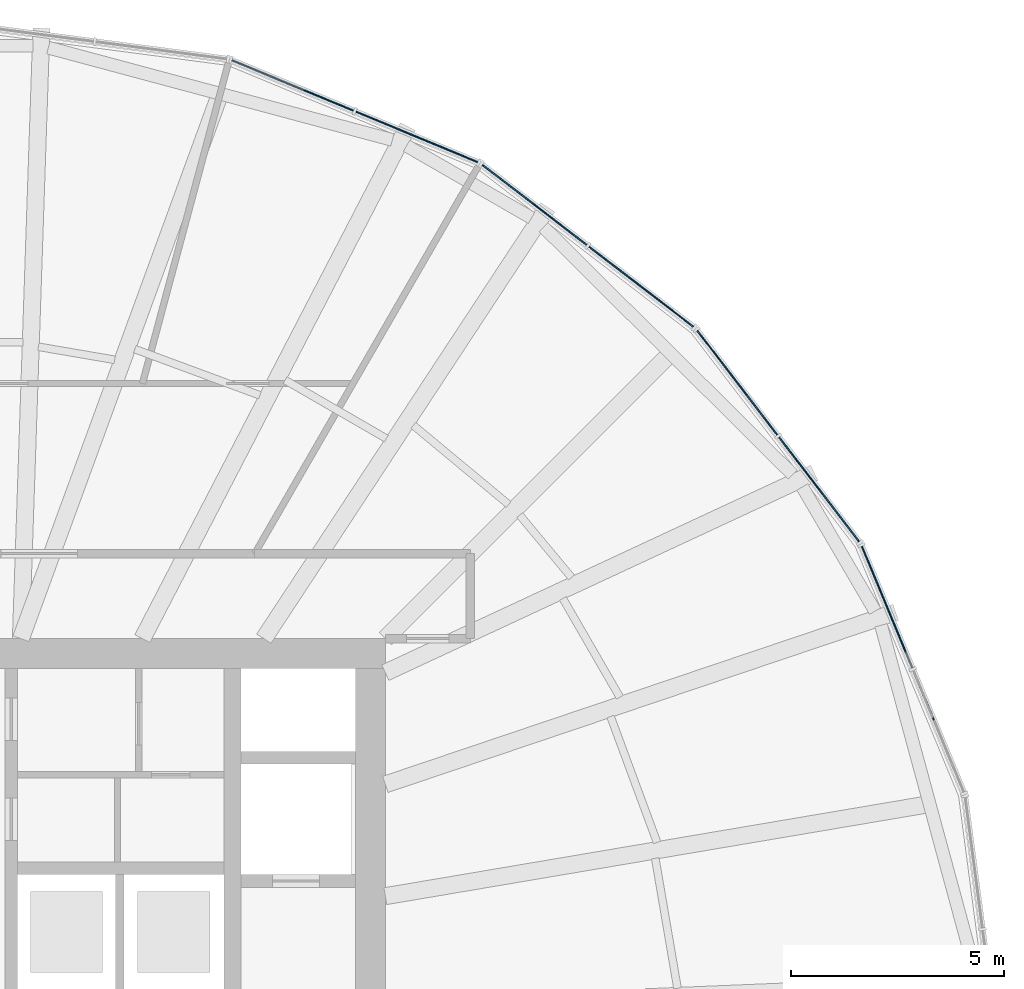
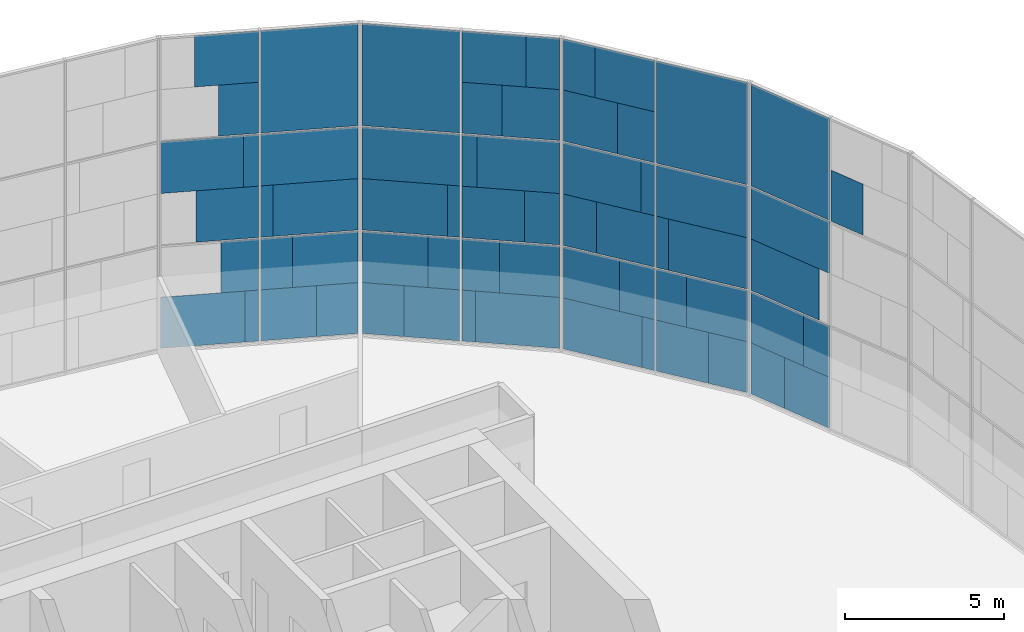
# One storey, part 17 of 22: 64 plates, 4 elements without a shape of their own.
"""IFC4 building model written with IfcOpenShell, lengths in metres."""

import ifcopenshell
import ifcopenshell.guid

model = None  # the IFC model being written
_history = None  # IfcOwnerHistory: only IFC2X3 demands one
_inside = {}  # id of a spatial element -> (the spatial element, [elements in it])
_under = {}  # id of a project, library or spatial element -> (it, [spatial elements below it])
_declared = {}  # id of a project -> (the project, [libraries it declares])
_typed = {}  # id of a type object -> (the type object, [elements of that type])
_made_of = {}  # id of a material, layer set ... -> (it, [elements and type objects made of it])


def new_model(schema):
    """Start an empty IFC model of exactly this schema.

    Asked for "IFC4X3", IfcOpenShell would pick the latest addendum, in which some entities
    have other attributes; the version numbers below select the first issue.
    IFC2X3 requires an IfcOwnerHistory on every rooted entity: one is made here for all.
    """
    global model, _history
    if schema == "IFC4X3":
        model = ifcopenshell.file(schema_version=(4, 3, 0, 0))
    else:
        model = ifcopenshell.file(schema=schema)
    _inside.clear()
    _under.clear()
    _declared.clear()
    _typed.clear()
    _made_of.clear()
    _history = None
    if model.schema == "IFC2X3":
        org = make("IfcOrganization", Name="unknown")
        user = make(
            "IfcPersonAndOrganization",
            ThePerson=make("IfcPerson", FamilyName="unknown"),
            TheOrganization=org,
        )
        app = make(
            "IfcApplication",
            ApplicationDeveloper=org,
            Version="unknown",
            ApplicationFullName="unknown",
            ApplicationIdentifier="unknown",
        )
        _history = make(
            "IfcOwnerHistory",
            OwningUser=user,
            OwningApplication=app,
            ChangeAction="ADDED",
            CreationDate=0,
        )
    return model


def make(cls, **values):
    """One entity of the class cls with the attributes given. An attribute that is None is left unset."""
    return model.create_entity(
        cls, **{name: value for name, value in values.items() if value is not None}
    )


def rooted(cls, **values):
    """An entity with a GlobalId (a new one), such as an element, a storey or a relation."""
    return make(cls, GlobalId=ifcopenshell.guid.new(), OwnerHistory=_history, **values)


def si_unit(unit_type, name, prefix=None):
    """IfcSIUnit, for example si_unit("LENGTHUNIT", "METRE", prefix="MILLI")."""
    return make("IfcSIUnit", UnitType=unit_type, Prefix=prefix, Name=name)


def assignment(units):
    """IfcUnitAssignment: the units of a project."""
    return None if units is None else make("IfcUnitAssignment", Units=units)


def point(xyz):
    """IfcCartesianPoint."""
    return None if xyz is None else make("IfcCartesianPoint", Coordinates=xyz)


def direction(xyz):
    """IfcDirection."""
    return None if xyz is None else make("IfcDirection", DirectionRatios=xyz)


def frame(location, z_axis=None, x_axis=None):
    """IfcAxis2Placement3D, a coordinate frame: its origin and axes. An axis left out is left unset."""
    return make(
        "IfcAxis2Placement3D",
        Location=point(location),
        Axis=direction(z_axis),
        RefDirection=direction(x_axis),
    )


def frame_2d(location, x_axis=None):
    """IfcAxis2Placement2D, a coordinate frame in the plane: its origin and x axis."""
    return make(
        "IfcAxis2Placement2D", Location=point(location), RefDirection=direction(x_axis)
    )


def origin():
    """The frame at (0, 0, 0) with its axes left unset."""
    return frame((0.0, 0.0, 0.0))


def origin_2d():
    """The frame at (0, 0) in the plane with its x axis left unset."""
    return frame_2d((0.0, 0.0))


def place(relative_to, where):
    """IfcLocalPlacement: puts the frame where relative to a parent placement (None: the world)."""
    return make(
        "IfcLocalPlacement", PlacementRelTo=relative_to, RelativePlacement=where
    )


def context(
    kind, dimensions, precision=None, world=None, true_north=None, identifier=None
):
    """IfcGeometricRepresentationContext, for example the 3D "Model" context."""
    return make(
        "IfcGeometricRepresentationContext",
        ContextIdentifier=identifier,
        ContextType=kind,
        CoordinateSpaceDimension=dimensions,
        Precision=precision,
        WorldCoordinateSystem=world,
        TrueNorth=true_north,
    )


def subcontext(parent, identifier, kind, view, scale=None):
    """IfcGeometricRepresentationSubContext, for example "Body" below "Model"."""
    return make(
        "IfcGeometricRepresentationSubContext",
        ContextIdentifier=identifier,
        ContextType=kind,
        ParentContext=parent,
        TargetScale=scale,
        TargetView=view,
    )


def project(units=None, contexts=None):
    """IfcProject with its units and contexts."""
    return rooted(
        "IfcProject",
        Name="project",
        RepresentationContexts=contexts,
        UnitsInContext=assignment(units),
    )


def spatial(cls, under=None, at=None, **own):
    """A site, building, storey or space (cls), placed at a placement, below another one or the project."""
    s = rooted(cls, ObjectPlacement=at, **own)
    if under is not None:
        _under.setdefault(under.id(), (under, []))[1].append(s)
    return s


def profile(cls, at=None, kind="AREA", **sizes):
    """A parametric profile (cls). Its sizes go by their IFC names, for example OverallWidth=200.0."""
    return make(cls, ProfileType=kind, Position=at, **sizes)


def rectangle(**sizes):
    """IfcRectangleProfileDef."""
    return profile("IfcRectangleProfileDef", **sizes)


def extrude(swept, where, along, depth):
    """IfcExtrudedAreaSolid: the profile swept, set in the frame where, extruded along a direction by depth."""
    return make(
        "IfcExtrudedAreaSolid",
        SweptArea=swept,
        Position=where,
        ExtrudedDirection=direction(along),
        Depth=depth,
    )


def shape(context_of_items, identifier, shape_type, items):
    """IfcShapeRepresentation: the items that make up one representation, for example the "Body"."""
    return make(
        "IfcShapeRepresentation",
        ContextOfItems=context_of_items,
        RepresentationIdentifier=identifier,
        RepresentationType=shape_type,
        Items=items,
    )


def material(Name=None, Category=None):
    """IfcMaterial."""
    return make("IfcMaterial", Name=Name, Category=Category)


def layer(
    of_material, thickness, ventilated=None, Name=None, Category=None, Priority=None
):
    """IfcMaterialLayer: one layer of a wall or slab, of a material (None: an air gap)."""
    return make(
        "IfcMaterialLayer",
        Material=of_material,
        LayerThickness=thickness,
        IsVentilated=ventilated,
        Name=Name,
        Category=Category,
        Priority=Priority,
    )


def layer_set(layers, Name=None):
    """IfcMaterialLayerSet."""
    return make("IfcMaterialLayerSet", MaterialLayers=layers, LayerSetName=Name)


def made_of(thing, what):
    """Note that an element or type object is made of a material, layer set ...; save() writes the relation."""
    if what is not None:
        _made_of.setdefault(what.id(), (what, []))[1].append(thing)
    return thing


def type_object(cls, material=None, **own):
    """A type object (cls), such as IfcWallType, which elements share."""
    return made_of(rooted(cls, **own), material)


def element(
    cls,
    number,
    at=None,
    inside=None,
    cuts=None,
    type_object=None,
    material=None,
    context=None,
    identifier="Body",
    shape_type=None,
    held_by="IfcProductDefinitionShape",
    body=None,
    shapes=None,
    **own,
):
    """One element of the class cls, such as IfcWall. Its Tag is "e" and its number.

    at: its placement. inside: the storey or other place that contains it. cuts: it is an
    opening in that element (IfcRelVoidsElement). A single representation is given by context,
    identifier, shape_type and body (its items); several are given by shapes. held_by: the class
    of the entity that holds the representations. save() writes the other relations.
    """
    e = rooted(cls, Tag="e%d" % number, ObjectPlacement=at, **own)
    if body is not None:
        shapes = [shape(context, identifier, shape_type, body)]
    if shapes is not None:
        e.Representation = make(held_by, Representations=shapes)
    if inside is not None:
        _inside.setdefault(inside.id(), (inside, []))[1].append(e)
    if cuts is not None:
        rooted(
            "IfcRelVoidsElement", RelatingBuildingElement=cuts, RelatedOpeningElement=e
        )
    if type_object is not None:
        _typed.setdefault(type_object.id(), (type_object, []))[1].append(e)
    return made_of(e, material)


def aggregate(whole, parts):
    """IfcRelAggregates: a whole, such as a stair, and the parts it consists of."""
    return rooted("IfcRelAggregates", RelatingObject=whole, RelatedObjects=parts)


def save(model, path):
    """Write the relations noted so far, then the file.

    IfcRelAggregates (storeys below a building ...), IfcRelContainedInSpatialStructure (elements
    in a storey), IfcRelDefinesByType, IfcRelAssociatesMaterial and IfcRelDeclares: one each for
    every whole, place, type object, material and project.
    """
    for whole, parts in _under.values():
        aggregate(whole, parts)
    for where, things in _inside.values():
        rooted(
            "IfcRelContainedInSpatialStructure",
            RelatedElements=things,
            RelatingStructure=where,
        )
    for kind, things in _typed.values():
        rooted("IfcRelDefinesByType", RelatedObjects=things, RelatingType=kind)
    for what, things in _made_of.values():
        rooted("IfcRelAssociatesMaterial", RelatedObjects=things, RelatingMaterial=what)
    for by, libraries in _declared.values():
        rooted("IfcRelDeclares", RelatingContext=by, RelatedDefinitions=libraries)
    model.write(path)


model = new_model("IFC4")

# Units and contexts
model_context = context("Model", 3, precision=1e-05, world=origin(), true_north=direction((0.0, 1.0)))
body_context = subcontext(model_context, "Body", "Model", "MODEL_VIEW")
ifc_project = project(units=[si_unit("LENGTHUNIT", "METRE"), si_unit("AREAUNIT", "SQUARE_METRE"), si_unit("VOLUMEUNIT", "CUBIC_METRE"), si_unit("PLANEANGLEUNIT", "RADIAN"), si_unit("MASSUNIT", "GRAM", prefix="KILO")], contexts=[model_context])

# Site, building, storey
site_placement = place(None, origin())
site = spatial("IfcSite", under=ifc_project, at=site_placement, CompositionType="ELEMENT")
building_placement = place(site_placement, origin())
building = spatial("IfcBuilding", under=site, at=building_placement, Name="Golbaran Civic Tower", CompositionType="ELEMENT")
storey_placement = place(building_placement, frame((0.0, 0.0, 90.0)))
storey = spatial("IfcBuildingStorey", under=building, at=storey_placement, Name="L21", CompositionType="ELEMENT", Elevation=90.0)

# Curtain wall, plates
ifc_material_1 = material(Name="Aluminium and glass", Category="aluminium")
curtain_wall_type = type_object("IfcCurtainWallType", Name="INNER SKIN CURTAIN WALL", PredefinedType="NOTDEFINED", material=ifc_material_1)
curtain_wall_1_placement = place(storey_placement, origin())
curtain_wall_1 = element("IfcCurtainWall", 1, at=curtain_wall_1_placement, inside=storey, type_object=curtain_wall_type, Name="Inner skin L21 facet 2 CW1", ObjectType="INNER SKIN", PredefinedType="USERDEFINED")
ifc_material_2 = material(Name="Clear insulating glass", Category="glass")
ifc_layer_1 = layer(ifc_material_2, 0.031982421875, Name="Clear insulating glass")
ifc_layer_set_1 = layer_set([ifc_layer_1], Name="Clear insulating glass")
plate_type_1 = type_object("IfcPlateType", Name="INNER SKIN CURTAIN WALL GLAZED PANEL", PredefinedType="CURTAIN_PANEL", material=ifc_layer_set_1)
plate_1_placement = place(storey_placement, frame((22.659423828125, 8.66796875, 8.032470703125), z_axis=(0.0, 0.0, 1.0), x_axis=(-0.382683432365, 0.923879532511, 0.0)))
plate_1 = element("IfcPlate", 2, at=plate_1_placement, type_object=plate_type_1, Name="CW1 panel 1.3 part 2", PredefinedType="CURTAIN_PANEL", context=body_context, shape_type="SweptSolid", body=[
    extrude(rectangle(XDim=1.26123046875, YDim=0.031982421875, at=origin_2d()), origin(), (0.0, 0.0, 1.0), 1.951171875),
])
plate_2_placement = place(storey_placement, frame((21.46240234375, 11.557861328125, 0.06494140625), z_axis=(0.0, 0.0, 1.0), x_axis=(-0.382683432365, 0.923879532511, 0.0)))
plate_2 = element("IfcPlate", 3, at=plate_2_placement, type_object=plate_type_1, Name="CW1 panel 2.1 part 2", PredefinedType="CURTAIN_PANEL", context=body_context, shape_type="SweptSolid", body=[
    extrude(rectangle(XDim=1.326416015625, YDim=0.031982421875, at=origin_2d()), origin(), (0.0, 0.0, 1.0), 1.951171875),
])
plate_3_placement = place(storey_placement, frame((21.607421875, 11.20751953125, 2.016357421875), z_axis=(0.0, 0.0, 1.0), x_axis=(-0.382683432365, 0.923879532511, 0.0)))
plate_3 = element("IfcPlate", 4, at=plate_3_placement, type_object=plate_type_1, Name="CW1 panel 2.1 part 4", PredefinedType="CURTAIN_PANEL", context=body_context, shape_type="SweptSolid", body=[
    extrude(rectangle(XDim=2.084228515625, YDim=0.031982421875, at=origin_2d()), origin(), (0.0, 0.0, 1.0), 1.951171875),
])
plate_4_placement = place(storey_placement, frame((21.724365234375, 10.92529296875, 4.03271484375), z_axis=(0.0, 0.0, 1.0), x_axis=(-0.382683432365, 0.923879532511, 0.0)))
plate_4 = element("IfcPlate", 5, at=plate_4_placement, type_object=plate_type_1, Name="CW1 panel 2.2 part 2", PredefinedType="CURTAIN_PANEL", context=body_context, shape_type="SweptSolid", body=[
    extrude(rectangle(XDim=2.6953125, YDim=0.031982421875, at=origin_2d()), origin(), (0.0, 0.0, 1.0), 1.967529296875),
])
plate_5_placement = place(storey_placement, frame((21.801025390625, 10.74072265625, 6.0), z_axis=(0.0, 0.0, 1.0), x_axis=(-0.382683432365, 0.923879532511, 0.0)))
plate_5 = element("IfcPlate", 6, at=plate_5_placement, type_object=plate_type_1, Name="CW1 panel 2.2 part 3", PredefinedType="CURTAIN_PANEL", context=body_context, shape_type="SweptSolid", body=[
    extrude(rectangle(XDim=3.09521484375, YDim=0.031982421875, at=origin_2d()), origin(), (0.0, 0.0, 1.0), 1.967529296875),
])
plate_6_placement = place(storey_placement, frame((21.801025390625, 10.74072265625, 8.0322265625), z_axis=(0.0, 0.0, 1.0), x_axis=(-0.382683432365, 0.923879532511, 0.0)))
plate_6 = element("IfcPlate", 7, at=plate_6_placement, type_object=plate_type_1, Name="CW1 panel 2.3", PredefinedType="CURTAIN_PANEL", context=body_context, shape_type="SweptSolid", body=[
    extrude(rectangle(XDim=3.09521484375, YDim=0.031982421875, at=origin_2d()), origin(), (0.0, 0.0, 1.0), 3.902587890625),
])

curtain_wall_2_placement = place(storey_placement, origin())
curtain_wall_2 = element("IfcCurtainWall", 8, at=curtain_wall_2_placement, inside=storey, type_object=curtain_wall_type, Name="Inner skin L21 facet 3 CW1", ObjectType="INNER SKIN", PredefinedType="USERDEFINED")
plate_7_placement = place(storey_placement, frame((20.74072265625, 12.80810546875, 0.06494140625), z_axis=(0.0, 0.0, 1.0), x_axis=(-0.608761428939, 0.793353340344, 0.0)))
plate_7 = element("IfcPlate", 9, at=plate_7_placement, type_object=plate_type_1, Name="CW1 panel 1.1 part 1", PredefinedType="CURTAIN_PANEL", context=body_context, shape_type="SweptSolid", body=[
    extrude(rectangle(XDim=1.325927734375, YDim=0.031982421875, at=origin_2d()), origin(), (0.0, 0.0, 1.0), 1.951171875),
])
plate_8_placement = place(storey_placement, frame((20.510009765625, 13.108642578125, 2.016357421875), z_axis=(0.0, 0.0, 1.0), x_axis=(-0.608761428939, 0.793353340344, 0.0)))
plate_8 = element("IfcPlate", 10, at=plate_8_placement, type_object=plate_type_1, Name="CW1 panel 1.1 part 3", PredefinedType="CURTAIN_PANEL", context=body_context, shape_type="SweptSolid", body=[
    extrude(rectangle(XDim=2.083984375, YDim=0.031982421875, at=origin_2d()), origin(), (0.0, 0.0, 1.0), 1.951171875),
])
plate_9_placement = place(storey_placement, frame((20.32421875, 13.350830078125, 4.03271484375), z_axis=(0.0, 0.0, 1.0), x_axis=(-0.608761428939, 0.793353340344, 0.0)))
plate_9 = element("IfcPlate", 11, at=plate_9_placement, type_object=plate_type_1, Name="CW1 panel 1.2 part 1", PredefinedType="CURTAIN_PANEL", context=body_context, shape_type="SweptSolid", body=[
    extrude(rectangle(XDim=2.694091796875, YDim=0.031982421875, at=origin_2d()), origin(), (0.0, 0.0, 1.0), 1.967529296875),
])
plate_10_placement = place(storey_placement, frame((20.2021484375, 13.510009765625, 6.0), z_axis=(0.0, 0.0, 1.0), x_axis=(-0.608761428939, 0.793353340344, 0.0)))
plate_10 = element("IfcPlate", 12, at=plate_10_placement, type_object=plate_type_1, Name="CW1 panel 1.2 part 3", PredefinedType="CURTAIN_PANEL", context=body_context, shape_type="SweptSolid", body=[
    extrude(rectangle(XDim=3.09521484375, YDim=0.031982421875, at=origin_2d()), origin(), (0.0, 0.0, 1.0), 1.967529296875),
])
plate_11_placement = place(storey_placement, frame((20.2021484375, 13.510009765625, 8.0322265625), z_axis=(0.0, 0.0, 1.0), x_axis=(-0.608761428939, 0.793353340344, 0.0)))
plate_11 = element("IfcPlate", 13, at=plate_11_placement, type_object=plate_type_1, Name="CW1 panel 1.3", PredefinedType="CURTAIN_PANEL", context=body_context, shape_type="SweptSolid", body=[
    extrude(rectangle(XDim=3.09521484375, YDim=0.031982421875, at=origin_2d()), origin(), (0.0, 0.0, 1.0), 3.902587890625),
])
plate_12_placement = place(storey_placement, frame((18.146728515625, 16.1884765625, 0.06494140625), z_axis=(0.0, 0.0, 1.0), x_axis=(-0.608761428939, 0.793353340344, 0.0)))
plate_12 = element("IfcPlate", 14, at=plate_12_placement, type_object=plate_type_1, Name="CW1 panel 2.1 part 2", PredefinedType="CURTAIN_PANEL", context=body_context, shape_type="SweptSolid", body=[
    extrude(rectangle(XDim=2.663330078125, YDim=0.031982421875, at=origin_2d()), origin(), (0.0, 0.0, 1.0), 1.951171875),
])
plate_13_placement = place(storey_placement, frame((17.916015625, 16.4892578125, 2.016357421875), z_axis=(0.0, 0.0, 1.0), x_axis=(-0.608761428939, 0.793353340344, 0.0)))
plate_13 = element("IfcPlate", 15, at=plate_13_placement, type_object=plate_type_1, Name="CW1 panel 2.1 part 4", PredefinedType="CURTAIN_PANEL", context=body_context, shape_type="SweptSolid", body=[
    extrude(rectangle(XDim=1.9052734375, YDim=0.031982421875, at=origin_2d()), origin(), (0.0, 0.0, 1.0), 1.951171875),
])
plate_14_placement = place(storey_placement, frame((17.675537109375, 16.802490234375, 4.03271484375), z_axis=(0.0, 0.0, 1.0), x_axis=(-0.608761428939, 0.793353340344, 0.0)))
plate_14 = element("IfcPlate", 16, at=plate_14_placement, type_object=plate_type_1, Name="CW1 panel 2.2 part 2", PredefinedType="CURTAIN_PANEL", context=body_context, shape_type="SweptSolid", body=[
    extrude(rectangle(XDim=1.115234375, YDim=0.031982421875, at=origin_2d()), origin(), (0.0, 0.0, 1.0), 1.967529296875),
])
plate_15_placement = place(storey_placement, frame((19.0771484375, 14.97607421875, 6.0), z_axis=(0.0, 0.0, 1.0), x_axis=(-0.608761428939, 0.793353340344, 0.0)))
plate_15 = element("IfcPlate", 17, at=plate_15_placement, type_object=plate_type_1, Name="CW1 panel 2.2 part 3", PredefinedType="CURTAIN_PANEL", context=body_context, shape_type="SweptSolid", body=[
    extrude(rectangle(XDim=0.470947265625, YDim=0.031982421875, at=origin_2d()), origin(), (0.0, 0.0, 1.0), 1.967529296875),
])
plate_16_placement = place(storey_placement, frame((18.836669921875, 15.28955078125, 8.032470703125), z_axis=(0.0, 0.0, 1.0), x_axis=(-0.608761428939, 0.793353340344, 0.0)))
plate_16 = element("IfcPlate", 18, at=plate_16_placement, type_object=plate_type_1, Name="CW1 panel 2.3 part 1", PredefinedType="CURTAIN_PANEL", context=body_context, shape_type="SweptSolid", body=[
    extrude(rectangle(XDim=1.260986328125, YDim=0.031982421875, at=origin_2d()), origin(), (0.0, 0.0, 1.0), 1.951171875),
])
plate_17_placement = place(storey_placement, frame((18.60546875, 15.590576171875, 9.98388671875), z_axis=(0.0, 0.0, 1.0), x_axis=(-0.608761428939, 0.793353340344, 0.0)))
plate_17 = element("IfcPlate", 19, at=plate_17_placement, type_object=plate_type_1, Name="CW1 panel 2.3 part 3", PredefinedType="CURTAIN_PANEL", context=body_context, shape_type="SweptSolid", body=[
    extrude(rectangle(XDim=2.02001953125, YDim=0.031982421875, at=origin_2d()), origin(), (0.0, 0.0, 1.0), 1.951171875),
])

curtain_wall_3_placement = place(storey_placement, origin())
curtain_wall_3 = element("IfcCurtainWall", 20, at=curtain_wall_3_placement, inside=storey, type_object=curtain_wall_type, Name="Inner skin L21 facet 4 CW1", ObjectType="INNER SKIN", PredefinedType="USERDEFINED")
plate_18_placement = place(storey_placement, frame((16.188720703125, 18.146728515625, 0.06494140625), z_axis=(0.0, 0.0, 1.0), x_axis=(-0.793353340344, 0.608761428939, 0.0)))
plate_18 = element("IfcPlate", 21, at=plate_18_placement, type_object=plate_type_1, Name="CW1 panel 1.1 part 1", PredefinedType="CURTAIN_PANEL", context=body_context, shape_type="SweptSolid", body=[
    extrude(rectangle(XDim=2.6630859375, YDim=0.031982421875, at=origin_2d()), origin(), (0.0, 0.0, 1.0), 1.951171875),
])
plate_19_placement = place(storey_placement, frame((16.4892578125, 17.916015625, 2.016357421875), z_axis=(0.0, 0.0, 1.0), x_axis=(-0.793353340344, 0.608761428939, 0.0)))
plate_19 = element("IfcPlate", 22, at=plate_19_placement, type_object=plate_type_1, Name="CW1 panel 1.1 part 3", PredefinedType="CURTAIN_PANEL", context=body_context, shape_type="SweptSolid", body=[
    extrude(rectangle(XDim=1.905029296875, YDim=0.031982421875, at=origin_2d()), origin(), (0.0, 0.0, 1.0), 1.951171875),
])
plate_20_placement = place(storey_placement, frame((16.80224609375, 17.67578125, 4.03271484375), z_axis=(0.0, 0.0, 1.0), x_axis=(-0.793353340344, 0.608761428939, 0.0)))
plate_20 = element("IfcPlate", 23, at=plate_20_placement, type_object=plate_type_1, Name="CW1 panel 1.2 part 1", PredefinedType="CURTAIN_PANEL", context=body_context, shape_type="SweptSolid", body=[
    extrude(rectangle(XDim=1.115966796875, YDim=0.031982421875, at=origin_2d()), origin(), (0.0, 0.0, 1.0), 1.967529296875),
])
plate_21_placement = place(storey_placement, frame((14.976318359375, 19.076904296875, 6.0), z_axis=(0.0, 0.0, 1.0), x_axis=(-0.793353340344, 0.608761428939, 0.0)))
plate_21 = element("IfcPlate", 24, at=plate_21_placement, type_object=plate_type_1, Name="CW1 panel 1.2 part 4", PredefinedType="CURTAIN_PANEL", context=body_context, shape_type="SweptSolid", body=[
    extrude(rectangle(XDim=0.47119140625, YDim=0.031982421875, at=origin_2d()), origin(), (0.0, 0.0, 1.0), 1.967529296875),
])
plate_22_placement = place(storey_placement, frame((15.28955078125, 18.83642578125, 8.032470703125), z_axis=(0.0, 0.0, 1.0), x_axis=(-0.793353340344, 0.608761428939, 0.0)))
plate_22 = element("IfcPlate", 25, at=plate_22_placement, type_object=plate_type_1, Name="CW1 panel 1.3 part 2", PredefinedType="CURTAIN_PANEL", context=body_context, shape_type="SweptSolid", body=[
    extrude(rectangle(XDim=1.26123046875, YDim=0.031982421875, at=origin_2d()), origin(), (0.0, 0.0, 1.0), 1.951171875),
])
plate_23_placement = place(storey_placement, frame((15.59033203125, 18.605712890625, 9.98388671875), z_axis=(0.0, 0.0, 1.0), x_axis=(-0.793353340344, 0.608761428939, 0.0)))
plate_23 = element("IfcPlate", 26, at=plate_23_placement, type_object=plate_type_1, Name="CW1 panel 1.3 part 4", PredefinedType="CURTAIN_PANEL", context=body_context, shape_type="SweptSolid", body=[
    extrude(rectangle(XDim=2.019287109375, YDim=0.031982421875, at=origin_2d()), origin(), (0.0, 0.0, 1.0), 1.951171875),
])
plate_24_placement = place(storey_placement, frame((12.80810546875, 20.740478515625, 0.06494140625), z_axis=(0.0, 0.0, 1.0), x_axis=(-0.793353340344, 0.608761428939, 0.0)))
plate_24 = element("IfcPlate", 27, at=plate_24_placement, type_object=plate_type_1, Name="CW1 panel 2.1 part 2", PredefinedType="CURTAIN_PANEL", context=body_context, shape_type="SweptSolid", body=[
    extrude(rectangle(XDim=1.326416015625, YDim=0.031982421875, at=origin_2d()), origin(), (0.0, 0.0, 1.0), 1.951171875),
])
plate_25_placement = place(storey_placement, frame((13.10888671875, 20.509765625, 2.016357421875), z_axis=(0.0, 0.0, 1.0), x_axis=(-0.793353340344, 0.608761428939, 0.0)))
plate_25 = element("IfcPlate", 28, at=plate_25_placement, type_object=plate_type_1, Name="CW1 panel 2.1 part 4", PredefinedType="CURTAIN_PANEL", context=body_context, shape_type="SweptSolid", body=[
    extrude(rectangle(XDim=2.084228515625, YDim=0.031982421875, at=origin_2d()), origin(), (0.0, 0.0, 1.0), 1.951171875),
])
plate_26_placement = place(storey_placement, frame((13.351318359375, 20.323974609375, 4.03271484375), z_axis=(0.0, 0.0, 1.0), x_axis=(-0.793353340344, 0.608761428939, 0.0)))
plate_26 = element("IfcPlate", 29, at=plate_26_placement, type_object=plate_type_1, Name="CW1 panel 2.2 part 2", PredefinedType="CURTAIN_PANEL", context=body_context, shape_type="SweptSolid", body=[
    extrude(rectangle(XDim=2.6953125, YDim=0.031982421875, at=origin_2d()), origin(), (0.0, 0.0, 1.0), 1.967529296875),
])
plate_27_placement = place(storey_placement, frame((13.510009765625, 20.2021484375, 6.0), z_axis=(0.0, 0.0, 1.0), x_axis=(-0.793353340344, 0.608761428939, 0.0)))
plate_27 = element("IfcPlate", 30, at=plate_27_placement, type_object=plate_type_1, Name="CW1 panel 2.2 part 3", PredefinedType="CURTAIN_PANEL", context=body_context, shape_type="SweptSolid", body=[
    extrude(rectangle(XDim=3.09521484375, YDim=0.031982421875, at=origin_2d()), origin(), (0.0, 0.0, 1.0), 1.967529296875),
])
plate_28_placement = place(storey_placement, frame((13.510009765625, 20.2021484375, 8.0322265625), z_axis=(0.0, 0.0, 1.0), x_axis=(-0.793353340344, 0.608761428939, 0.0)))
plate_28 = element("IfcPlate", 31, at=plate_28_placement, type_object=plate_type_1, Name="CW1 panel 2.3", PredefinedType="CURTAIN_PANEL", context=body_context, shape_type="SweptSolid", body=[
    extrude(rectangle(XDim=3.09521484375, YDim=0.031982421875, at=origin_2d()), origin(), (0.0, 0.0, 1.0), 3.902587890625),
])

curtain_wall_4_placement = place(storey_placement, origin())
curtain_wall_4 = element("IfcCurtainWall", 32, at=curtain_wall_4_placement, inside=storey, type_object=curtain_wall_type, Name="Inner skin L21 facet 5 CW1", ObjectType="INNER SKIN", PredefinedType="USERDEFINED")
plate_29_placement = place(storey_placement, frame((11.557861328125, 21.46240234375, 0.06494140625), z_axis=(0.0, 0.0, 1.0), x_axis=(-0.923879532511, 0.382683432365, 0.0)))
plate_29 = element("IfcPlate", 33, at=plate_29_placement, type_object=plate_type_1, Name="CW1 panel 1.1 part 1", PredefinedType="CURTAIN_PANEL", context=body_context, shape_type="SweptSolid", body=[
    extrude(rectangle(XDim=1.325927734375, YDim=0.031982421875, at=origin_2d()), origin(), (0.0, 0.0, 1.0), 1.951171875),
])
plate_30_placement = place(storey_placement, frame((11.207763671875, 21.607421875, 2.016357421875), z_axis=(0.0, 0.0, 1.0), x_axis=(-0.923879532511, 0.382683432365, 0.0)))
plate_30 = element("IfcPlate", 34, at=plate_30_placement, type_object=plate_type_1, Name="CW1 panel 1.1 part 3", PredefinedType="CURTAIN_PANEL", context=body_context, shape_type="SweptSolid", body=[
    extrude(rectangle(XDim=2.083984375, YDim=0.031982421875, at=origin_2d()), origin(), (0.0, 0.0, 1.0), 1.951171875),
])
plate_31_placement = place(storey_placement, frame((10.926025390625, 21.72412109375, 4.03271484375), z_axis=(0.0, 0.0, 1.0), x_axis=(-0.923879532511, 0.382683432365, 0.0)))
plate_31 = element("IfcPlate", 35, at=plate_31_placement, type_object=plate_type_1, Name="CW1 panel 1.2 part 1", PredefinedType="CURTAIN_PANEL", context=body_context, shape_type="SweptSolid", body=[
    extrude(rectangle(XDim=2.694091796875, YDim=0.031982421875, at=origin_2d()), origin(), (0.0, 0.0, 1.0), 1.967529296875),
])
plate_32_placement = place(storey_placement, frame((10.74072265625, 21.801025390625, 6.0), z_axis=(0.0, 0.0, 1.0), x_axis=(-0.923879532511, 0.382683432365, 0.0)))
plate_32 = element("IfcPlate", 36, at=plate_32_placement, type_object=plate_type_1, Name="CW1 panel 1.2 part 3", PredefinedType="CURTAIN_PANEL", context=body_context, shape_type="SweptSolid", body=[
    extrude(rectangle(XDim=3.09521484375, YDim=0.031982421875, at=origin_2d()), origin(), (0.0, 0.0, 1.0), 1.967529296875),
])
plate_33_placement = place(storey_placement, frame((10.74072265625, 21.801025390625, 8.0322265625), z_axis=(0.0, 0.0, 1.0), x_axis=(-0.923879532511, 0.382683432365, 0.0)))
plate_33 = element("IfcPlate", 37, at=plate_33_placement, type_object=plate_type_1, Name="CW1 panel 1.3", PredefinedType="CURTAIN_PANEL", context=body_context, shape_type="SweptSolid", body=[
    extrude(rectangle(XDim=3.09521484375, YDim=0.031982421875, at=origin_2d()), origin(), (0.0, 0.0, 1.0), 3.902587890625),
])
plate_34_placement = place(storey_placement, frame((7.621337890625, 23.093017578125, 0.06494140625), z_axis=(0.0, 0.0, 1.0), x_axis=(-0.923879532511, 0.382683432365, 0.0)))
plate_34 = element("IfcPlate", 38, at=plate_34_placement, type_object=plate_type_1, Name="CW1 panel 2.1 part 2", PredefinedType="CURTAIN_PANEL", context=body_context, shape_type="SweptSolid", body=[
    extrude(rectangle(XDim=2.663330078125, YDim=0.031982421875, at=origin_2d()), origin(), (0.0, 0.0, 1.0), 1.951171875),
])
plate_35_placement = place(storey_placement, frame((9.033203125, 22.50830078125, 6.0), z_axis=(0.0, 0.0, 1.0), x_axis=(-0.923879532511, 0.382683432365, 0.0)))
plate_35 = element("IfcPlate", 39, at=plate_35_placement, type_object=plate_type_1, Name="CW1 panel 2.2 part 3", PredefinedType="CURTAIN_PANEL", context=body_context, shape_type="SweptSolid", body=[
    extrude(rectangle(XDim=0.470947265625, YDim=0.031982421875, at=origin_2d()), origin(), (0.0, 0.0, 1.0), 1.967529296875),
])
plate_36_placement = place(storey_placement, frame((8.668212890625, 22.659423828125, 8.032470703125), z_axis=(0.0, 0.0, 1.0), x_axis=(-0.923879532511, 0.382683432365, 0.0)))
plate_36 = element("IfcPlate", 40, at=plate_36_placement, type_object=plate_type_1, Name="CW1 panel 2.3 part 1", PredefinedType="CURTAIN_PANEL", context=body_context, shape_type="SweptSolid", body=[
    extrude(rectangle(XDim=1.260986328125, YDim=0.031982421875, at=origin_2d()), origin(), (0.0, 0.0, 1.0), 1.951171875),
])
plate_37_placement = place(storey_placement, frame((8.317626953125, 22.8046875, 9.98388671875), z_axis=(0.0, 0.0, 1.0), x_axis=(-0.923879532511, 0.382683432365, 0.0)))
plate_37 = element("IfcPlate", 41, at=plate_37_placement, type_object=plate_type_1, Name="CW1 panel 2.3 part 3", PredefinedType="CURTAIN_PANEL", context=body_context, shape_type="SweptSolid", body=[
    extrude(rectangle(XDim=2.02001953125, YDim=0.031982421875, at=origin_2d()), origin(), (0.0, 0.0, 1.0), 1.951171875),
])

# Plate
ifc_material_3 = material(Name="Aluminium faced opaque infill panel", Category="aluminium")
ifc_layer_2 = layer(ifc_material_3, 0.031982421875, Name="Aluminium faced opaque infill panel")
ifc_layer_set_2 = layer_set([ifc_layer_2], Name="Aluminium faced opaque infill panel")
plate_type_2 = type_object("IfcPlateType", Name="INNER SKIN CURTAIN WALL OPAQUE INFILL PANEL", PredefinedType="CURTAIN_PANEL", material=ifc_layer_set_2)
plate_38_placement = place(storey_placement, frame((22.0546875, 10.1279296875, 0.06494140625), z_axis=(0.0, 0.0, 1.0), x_axis=(-0.382683432365, 0.923879532511, 0.0)))
plate_38 = element("IfcPlate", 42, at=plate_38_placement, type_object=plate_type_2, Name="CW1 infill panel 2.1 part 1", PredefinedType="CURTAIN_PANEL", context=body_context, shape_type="SweptSolid", body=[
    extrude(rectangle(XDim=1.76904296875, YDim=0.031982421875, at=origin_2d()), origin(), (0.0, 0.0, 1.0), 1.951171875),
])

plate_39_placement = place(storey_placement, frame((22.19970703125, 9.77783203125, 2.016357421875), z_axis=(0.0, 0.0, 1.0), x_axis=(-0.382683432365, 0.923879532511, 0.0)))
plate_39 = element("IfcPlate", 43, at=plate_39_placement, type_object=plate_type_2, Name="CW1 infill panel 2.1 part 3", PredefinedType="CURTAIN_PANEL", context=body_context, shape_type="SweptSolid", body=[
    extrude(rectangle(XDim=1.010986328125, YDim=0.031982421875, at=origin_2d()), origin(), (0.0, 0.0, 1.0), 1.951171875),
])

aggregate(curtain_wall_1, [plate_1, plate_38, plate_2, plate_39, plate_3, plate_4, plate_5, plate_6])

plate_40_placement = place(storey_placement, frame((19.798583984375, 14.035888671875, 0.06494140625), z_axis=(0.0, 0.0, 1.0), x_axis=(-0.608761428939, 0.793353340344, 0.0)))
plate_40 = element("IfcPlate", 44, at=plate_40_placement, type_object=plate_type_2, Name="CW1 infill panel 1.1 part 2", PredefinedType="CURTAIN_PANEL", context=body_context, shape_type="SweptSolid", body=[
    extrude(rectangle(XDim=1.769287109375, YDim=0.031982421875, at=origin_2d()), origin(), (0.0, 0.0, 1.0), 1.951171875),
])

plate_41_placement = place(storey_placement, frame((19.56787109375, 14.336669921875, 2.016357421875), z_axis=(0.0, 0.0, 1.0), x_axis=(-0.608761428939, 0.793353340344, 0.0)))
plate_41 = element("IfcPlate", 45, at=plate_41_placement, type_object=plate_type_2, Name="CW1 infill panel 1.1 part 4", PredefinedType="CURTAIN_PANEL", context=body_context, shape_type="SweptSolid", body=[
    extrude(rectangle(XDim=1.01123046875, YDim=0.031982421875, at=origin_2d()), origin(), (0.0, 0.0, 1.0), 1.951171875),
])

plate_42_placement = place(storey_placement, frame((19.382080078125, 14.57861328125, 4.03271484375), z_axis=(0.0, 0.0, 1.0), x_axis=(-0.608761428939, 0.793353340344, 0.0)))
plate_42 = element("IfcPlate", 46, at=plate_42_placement, type_object=plate_type_2, Name="CW1 infill panel 1.2 part 2", PredefinedType="CURTAIN_PANEL", context=body_context, shape_type="SweptSolid", body=[
    extrude(rectangle(XDim=0.4013671875, YDim=0.031982421875, at=origin_2d()), origin(), (0.0, 0.0, 1.0), 1.967529296875),
])

plate_43_placement = place(storey_placement, frame((19.0888671875, 14.960693359375, 0.06494140625), z_axis=(0.0, 0.0, 1.0), x_axis=(-0.608761428939, 0.793353340344, 0.0)))
plate_43 = element("IfcPlate", 47, at=plate_43_placement, type_object=plate_type_2, Name="CW1 infill panel 2.1 part 1", PredefinedType="CURTAIN_PANEL", context=body_context, shape_type="SweptSolid", body=[
    extrude(rectangle(XDim=0.431884765625, YDim=0.031982421875, at=origin_2d()), origin(), (0.0, 0.0, 1.0), 1.951171875),
])

plate_44_placement = place(storey_placement, frame((18.858154296875, 15.26123046875, 2.016357421875), z_axis=(0.0, 0.0, 1.0), x_axis=(-0.608761428939, 0.793353340344, 0.0)))
plate_44 = element("IfcPlate", 48, at=plate_44_placement, type_object=plate_type_2, Name="CW1 infill panel 2.1 part 3", PredefinedType="CURTAIN_PANEL", context=body_context, shape_type="SweptSolid", body=[
    extrude(rectangle(XDim=1.18994140625, YDim=0.031982421875, at=origin_2d()), origin(), (0.0, 0.0, 1.0), 1.951171875),
])

plate_45_placement = place(storey_placement, frame((18.61767578125, 15.57470703125, 4.03271484375), z_axis=(0.0, 0.0, 1.0), x_axis=(-0.608761428939, 0.793353340344, 0.0)))
plate_45 = element("IfcPlate", 49, at=plate_45_placement, type_object=plate_type_2, Name="CW1 infill panel 2.2 part 1", PredefinedType="CURTAIN_PANEL", context=body_context, shape_type="SweptSolid", body=[
    extrude(rectangle(XDim=1.97998046875, YDim=0.031982421875, at=origin_2d()), origin(), (0.0, 0.0, 1.0), 1.967529296875),
])

plate_46_placement = place(storey_placement, frame((18.135009765625, 16.203857421875, 6.0), z_axis=(0.0, 0.0, 1.0), x_axis=(-0.608761428939, 0.793353340344, 0.0)))
plate_46 = element("IfcPlate", 50, at=plate_46_placement, type_object=plate_type_2, Name="CW1 infill panel 2.2 part 4", PredefinedType="CURTAIN_PANEL", context=body_context, shape_type="SweptSolid", body=[
    extrude(rectangle(XDim=2.624267578125, YDim=0.031982421875, at=origin_2d()), origin(), (0.0, 0.0, 1.0), 1.967529296875),
])

plate_47_placement = place(storey_placement, frame((17.89453125, 16.517333984375, 8.032470703125), z_axis=(0.0, 0.0, 1.0), x_axis=(-0.608761428939, 0.793353340344, 0.0)))
plate_47 = element("IfcPlate", 51, at=plate_47_placement, type_object=plate_type_2, Name="CW1 infill panel 2.3 part 2", PredefinedType="CURTAIN_PANEL", context=body_context, shape_type="SweptSolid", body=[
    extrude(rectangle(XDim=1.834228515625, YDim=0.031982421875, at=origin_2d()), origin(), (0.0, 0.0, 1.0), 1.951171875),
])

plate_48_placement = place(storey_placement, frame((17.663330078125, 16.818359375, 9.98388671875), z_axis=(0.0, 0.0, 1.0), x_axis=(-0.608761428939, 0.793353340344, 0.0)))
plate_48 = element("IfcPlate", 52, at=plate_48_placement, type_object=plate_type_2, Name="CW1 infill panel 2.3 part 4", PredefinedType="CURTAIN_PANEL", context=body_context, shape_type="SweptSolid", body=[
    extrude(rectangle(XDim=1.0751953125, YDim=0.031982421875, at=origin_2d()), origin(), (0.0, 0.0, 1.0), 1.951171875),
])

aggregate(curtain_wall_2, [plate_7, plate_40, plate_8, plate_41, plate_9, plate_42, plate_10, plate_11, plate_43, plate_12, plate_44, plate_13, plate_45, plate_14, plate_15, plate_46, plate_16, plate_47, plate_17, plate_48])

plate_49_placement = place(storey_placement, frame((14.960693359375, 19.0888671875, 0.06494140625), z_axis=(0.0, 0.0, 1.0), x_axis=(-0.793353340344, 0.608761428939, 0.0)))
plate_49 = element("IfcPlate", 53, at=plate_49_placement, type_object=plate_type_2, Name="CW1 infill panel 1.1 part 2", PredefinedType="CURTAIN_PANEL", context=body_context, shape_type="SweptSolid", body=[
    extrude(rectangle(XDim=0.432373046875, YDim=0.031982421875, at=origin_2d()), origin(), (0.0, 0.0, 1.0), 1.951171875),
])

plate_50_placement = place(storey_placement, frame((15.261474609375, 18.858154296875, 2.016357421875), z_axis=(0.0, 0.0, 1.0), x_axis=(-0.793353340344, 0.608761428939, 0.0)))
plate_50 = element("IfcPlate", 54, at=plate_50_placement, type_object=plate_type_2, Name="CW1 infill panel 1.1 part 4", PredefinedType="CURTAIN_PANEL", context=body_context, shape_type="SweptSolid", body=[
    extrude(rectangle(XDim=1.190185546875, YDim=0.031982421875, at=origin_2d()), origin(), (0.0, 0.0, 1.0), 1.951171875),
])

plate_51_placement = place(storey_placement, frame((15.574462890625, 18.617919921875, 4.03271484375), z_axis=(0.0, 0.0, 1.0), x_axis=(-0.793353340344, 0.608761428939, 0.0)))
plate_51 = element("IfcPlate", 55, at=plate_51_placement, type_object=plate_type_2, Name="CW1 infill panel 1.2 part 2", PredefinedType="CURTAIN_PANEL", context=body_context, shape_type="SweptSolid", body=[
    extrude(rectangle(XDim=1.979248046875, YDim=0.031982421875, at=origin_2d()), origin(), (0.0, 0.0, 1.0), 1.967529296875),
])

plate_52_placement = place(storey_placement, frame((16.2041015625, 18.134765625, 6.0), z_axis=(0.0, 0.0, 1.0), x_axis=(-0.793353340344, 0.608761428939, 0.0)))
plate_52 = element("IfcPlate", 56, at=plate_52_placement, type_object=plate_type_2, Name="CW1 infill panel 1.2 part 3", PredefinedType="CURTAIN_PANEL", context=body_context, shape_type="SweptSolid", body=[
    extrude(rectangle(XDim=2.6240234375, YDim=0.031982421875, at=origin_2d()), origin(), (0.0, 0.0, 1.0), 1.967529296875),
])

plate_53_placement = place(storey_placement, frame((16.517578125, 17.894287109375, 8.032470703125), z_axis=(0.0, 0.0, 1.0), x_axis=(-0.793353340344, 0.608761428939, 0.0)))
plate_53 = element("IfcPlate", 57, at=plate_53_placement, type_object=plate_type_2, Name="CW1 infill panel 1.3 part 1", PredefinedType="CURTAIN_PANEL", context=body_context, shape_type="SweptSolid", body=[
    extrude(rectangle(XDim=1.833984375, YDim=0.031982421875, at=origin_2d()), origin(), (0.0, 0.0, 1.0), 1.951171875),
])

plate_54_placement = place(storey_placement, frame((16.818115234375, 17.66357421875, 9.98388671875), z_axis=(0.0, 0.0, 1.0), x_axis=(-0.793353340344, 0.608761428939, 0.0)))
plate_54 = element("IfcPlate", 58, at=plate_54_placement, type_object=plate_type_2, Name="CW1 infill panel 1.3 part 3", PredefinedType="CURTAIN_PANEL", context=body_context, shape_type="SweptSolid", body=[
    extrude(rectangle(XDim=1.075927734375, YDim=0.031982421875, at=origin_2d()), origin(), (0.0, 0.0, 1.0), 1.951171875),
])

plate_55_placement = place(storey_placement, frame((14.0361328125, 19.79833984375, 0.06494140625), z_axis=(0.0, 0.0, 1.0), x_axis=(-0.793353340344, 0.608761428939, 0.0)))
plate_55 = element("IfcPlate", 59, at=plate_55_placement, type_object=plate_type_2, Name="CW1 infill panel 2.1 part 1", PredefinedType="CURTAIN_PANEL", context=body_context, shape_type="SweptSolid", body=[
    extrude(rectangle(XDim=1.76904296875, YDim=0.031982421875, at=origin_2d()), origin(), (0.0, 0.0, 1.0), 1.951171875),
])

plate_56_placement = place(storey_placement, frame((14.336669921875, 19.567626953125, 2.016357421875), z_axis=(0.0, 0.0, 1.0), x_axis=(-0.793353340344, 0.608761428939, 0.0)))
plate_56 = element("IfcPlate", 60, at=plate_56_placement, type_object=plate_type_2, Name="CW1 infill panel 2.1 part 3", PredefinedType="CURTAIN_PANEL", context=body_context, shape_type="SweptSolid", body=[
    extrude(rectangle(XDim=1.010986328125, YDim=0.031982421875, at=origin_2d()), origin(), (0.0, 0.0, 1.0), 1.951171875),
])

plate_57_placement = place(storey_placement, frame((14.5791015625, 19.3818359375, 4.03271484375), z_axis=(0.0, 0.0, 1.0), x_axis=(-0.793353340344, 0.608761428939, 0.0)))
plate_57 = element("IfcPlate", 61, at=plate_57_placement, type_object=plate_type_2, Name="CW1 infill panel 2.2 part 1", PredefinedType="CURTAIN_PANEL", context=body_context, shape_type="SweptSolid", body=[
    extrude(rectangle(XDim=0.39990234375, YDim=0.031982421875, at=origin_2d()), origin(), (0.0, 0.0, 1.0), 1.967529296875),
])

aggregate(curtain_wall_3, [plate_18, plate_49, plate_19, plate_50, plate_20, plate_51, plate_52, plate_21, plate_53, plate_22, plate_54, plate_23, plate_55, plate_24, plate_56, plate_25, plate_57, plate_26, plate_27, plate_28])

plate_58_placement = place(storey_placement, frame((10.128173828125, 22.0546875, 0.06494140625), z_axis=(0.0, 0.0, 1.0), x_axis=(-0.923879532511, 0.382683432365, 0.0)))
plate_58 = element("IfcPlate", 62, at=plate_58_placement, type_object=plate_type_2, Name="CW1 infill panel 1.1 part 2", PredefinedType="CURTAIN_PANEL", context=body_context, shape_type="SweptSolid", body=[
    extrude(rectangle(XDim=1.769287109375, YDim=0.031982421875, at=origin_2d()), origin(), (0.0, 0.0, 1.0), 1.951171875),
])

plate_59_placement = place(storey_placement, frame((9.77783203125, 22.19970703125, 2.016357421875), z_axis=(0.0, 0.0, 1.0), x_axis=(-0.923879532511, 0.382683432365, 0.0)))
plate_59 = element("IfcPlate", 63, at=plate_59_placement, type_object=plate_type_2, Name="CW1 infill panel 1.1 part 4", PredefinedType="CURTAIN_PANEL", context=body_context, shape_type="SweptSolid", body=[
    extrude(rectangle(XDim=1.01123046875, YDim=0.031982421875, at=origin_2d()), origin(), (0.0, 0.0, 1.0), 1.951171875),
])

plate_60_placement = place(storey_placement, frame((9.49609375, 22.31640625, 4.03271484375), z_axis=(0.0, 0.0, 1.0), x_axis=(-0.923879532511, 0.382683432365, 0.0)))
plate_60 = element("IfcPlate", 64, at=plate_60_placement, type_object=plate_type_2, Name="CW1 infill panel 1.2 part 2", PredefinedType="CURTAIN_PANEL", context=body_context, shape_type="SweptSolid", body=[
    extrude(rectangle(XDim=0.4013671875, YDim=0.031982421875, at=origin_2d()), origin(), (0.0, 0.0, 1.0), 1.967529296875),
])

plate_61_placement = place(storey_placement, frame((9.05126953125, 22.500732421875, 0.06494140625), z_axis=(0.0, 0.0, 1.0), x_axis=(-0.923879532511, 0.382683432365, 0.0)))
plate_61 = element("IfcPlate", 65, at=plate_61_placement, type_object=plate_type_2, Name="CW1 infill panel 2.1 part 1", PredefinedType="CURTAIN_PANEL", context=body_context, shape_type="SweptSolid", body=[
    extrude(rectangle(XDim=0.431884765625, YDim=0.031982421875, at=origin_2d()), origin(), (0.0, 0.0, 1.0), 1.951171875),
])

plate_62_placement = place(storey_placement, frame((8.700927734375, 22.645751953125, 2.016357421875), z_axis=(0.0, 0.0, 1.0), x_axis=(-0.923879532511, 0.382683432365, 0.0)))
plate_62 = element("IfcPlate", 66, at=plate_62_placement, type_object=plate_type_2, Name="CW1 infill panel 2.1 part 3", PredefinedType="CURTAIN_PANEL", context=body_context, shape_type="SweptSolid", body=[
    extrude(rectangle(XDim=1.18994140625, YDim=0.031982421875, at=origin_2d()), origin(), (0.0, 0.0, 1.0), 1.951171875),
])

plate_63_placement = place(storey_placement, frame((8.336181640625, 22.796875, 4.03271484375), z_axis=(0.0, 0.0, 1.0), x_axis=(-0.923879532511, 0.382683432365, 0.0)))
plate_63 = element("IfcPlate", 67, at=plate_63_placement, type_object=plate_type_2, Name="CW1 infill panel 2.2 part 1", PredefinedType="CURTAIN_PANEL", context=body_context, shape_type="SweptSolid", body=[
    extrude(rectangle(XDim=1.97998046875, YDim=0.031982421875, at=origin_2d()), origin(), (0.0, 0.0, 1.0), 1.967529296875),
])

plate_64_placement = place(storey_placement, frame((7.603271484375, 23.1005859375, 6.0), z_axis=(0.0, 0.0, 1.0), x_axis=(-0.923879532511, 0.382683432365, 0.0)))
plate_64 = element("IfcPlate", 68, at=plate_64_placement, type_object=plate_type_2, Name="CW1 infill panel 2.2 part 4", PredefinedType="CURTAIN_PANEL", context=body_context, shape_type="SweptSolid", body=[
    extrude(rectangle(XDim=2.624267578125, YDim=0.031982421875, at=origin_2d()), origin(), (0.0, 0.0, 1.0), 1.967529296875),
])

aggregate(curtain_wall_4, [plate_29, plate_58, plate_30, plate_59, plate_31, plate_60, plate_32, plate_33, plate_61, plate_34, plate_62, plate_63, plate_35, plate_64, plate_36, plate_37])

save(model, "model.ifc")
